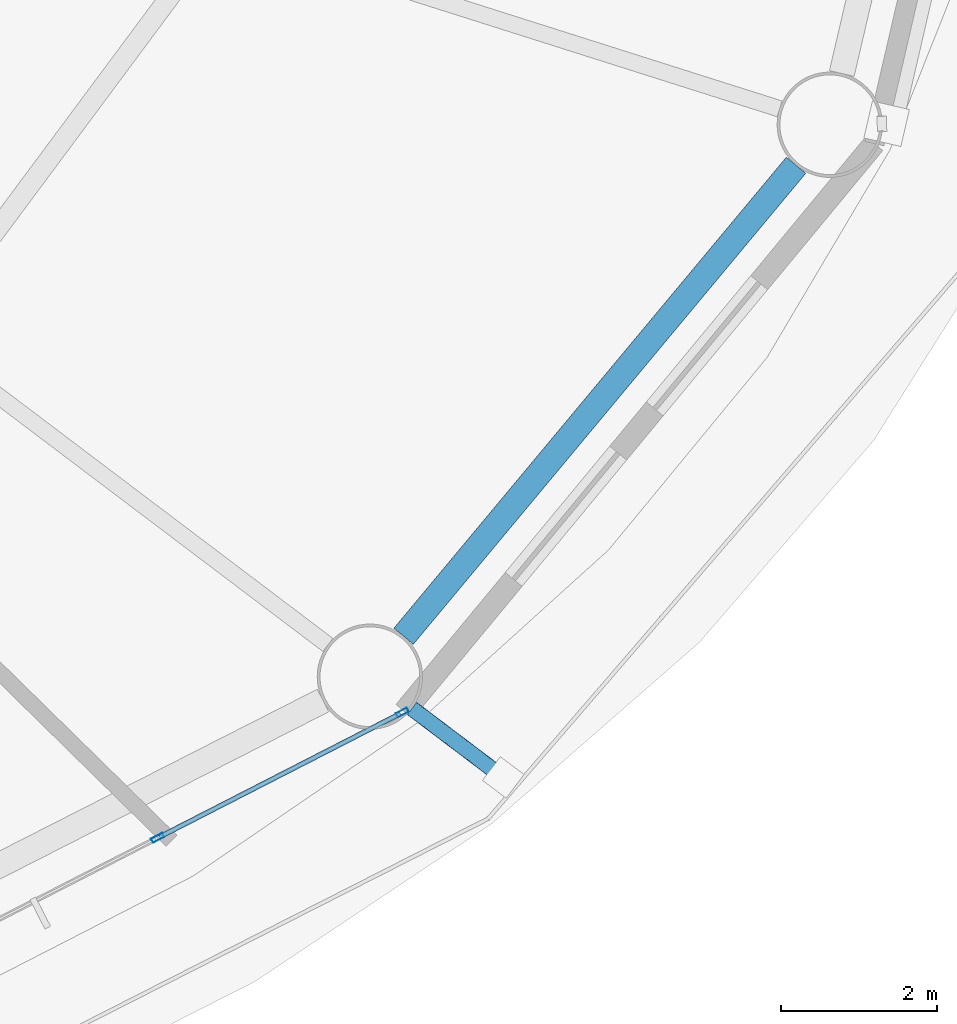
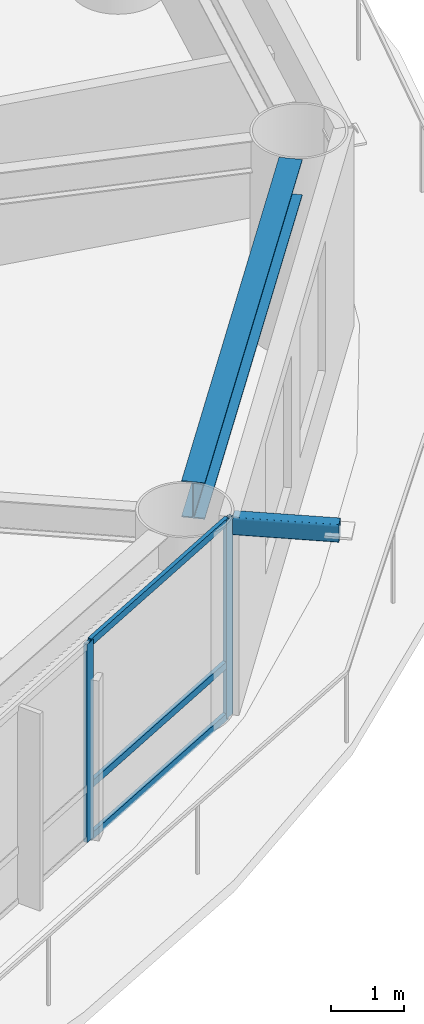
# One storey, part 6 of 24: 6 members, 1 beam, 1 element without a shape of its own.
"""IFC4 building model written with IfcOpenShell, lengths in metres."""

from ifc_helpers import new_model, si_unit, direction, frame, origin, origin_2d, place, context, subcontext, project, spatial, hollow_rectangle, i_section, extrude, material, layer, layer_set, material_profile, profile_set, type_object, element, aggregate, save


model = new_model("IFC4")

# Units and contexts
model_context = context("Model", 3, precision=1e-05, world=origin(), true_north=direction((0.0, 1.0)))
body_context = subcontext(model_context, "Body", "Model", "MODEL_VIEW")
ifc_project = project(units=[si_unit("LENGTHUNIT", "METRE"), si_unit("AREAUNIT", "SQUARE_METRE"), si_unit("VOLUMEUNIT", "CUBIC_METRE"), si_unit("PLANEANGLEUNIT", "RADIAN"), si_unit("MASSUNIT", "GRAM", prefix="KILO")], contexts=[model_context])

# Site, building, storey
site_placement = place(None, origin())
site = spatial("IfcSite", under=ifc_project, at=site_placement, CompositionType="ELEMENT")
building_placement = place(site_placement, origin())
building = spatial("IfcBuilding", under=site, at=building_placement, Name="Sarneth Arch Tower", CompositionType="ELEMENT")
storey_placement = place(building_placement, frame((0.0, 0.0, 130.800048828125)))
storey = spatial("IfcBuildingStorey", under=building, at=storey_placement, Name="L33", CompositionType="ELEMENT", Elevation=130.800048828125)

# Beam
ifc_material_1 = material(Name="Steel S355", Category="steel")
ifc_material_profile_1 = material_profile(ifc_material_1, i_section(OverallWidth=0.323974609375, OverallDepth=0.611083984375, WebThickness=0.0126953125, FlangeThickness=0.01904296875, FilletRadius=0.01904296875, at=origin_2d()), Name="W610x155")
ifc_profile_set_1 = profile_set([ifc_material_profile_1], Name="Steel S355")
beam_type = type_object("IfcBeamType", Name="BM-SPAN-610B", PredefinedType="SPANDREL", material=ifc_profile_set_1)
beam_placement = place(storey_placement, frame((68.829833984375, 27.103515625, 3.014404296875), z_axis=(0.640169116175, 0.768234015581, 0.0), x_axis=(-0.768234015581, 0.640169116175, 0.0)))
element("IfcBeam", 1, at=beam_placement, inside=storey, type_object=beam_type, Name="L33 Perimeter spandrel beam 15", PredefinedType="SPANDREL", context=body_context, shape_type="SweptSolid", body=[
    extrude(i_section(OverallWidth=0.323974609375, OverallDepth=0.611083984375, WebThickness=0.0126953125, FlangeThickness=0.01904296875, FilletRadius=0.01904296875, at=origin_2d()), origin(), (0.0, 0.0, 1.0), 7.856201171875),
])

# Curtain wall, members
ifc_material_2 = material(Name="Anodised aluminium Type AA25 and solar-control low-e laminated IGU", Category="aluminium")
ifc_layer = layer(ifc_material_2, 0.159912109375)
ifc_layer_set = layer_set([ifc_layer], Name="Anodised aluminium Type AA25 and solar-control low-e laminated IGU")
curtain_wall_type = type_object("IfcCurtainWallType", Name="CW-HOTEL-MID", PredefinedType="NOTDEFINED", material=ifc_layer_set)
curtain_wall_placement = place(storey_placement, origin())
curtain_wall = element("IfcCurtainWall", 2, at=curtain_wall_placement, inside=storey, type_object=curtain_wall_type, Name="L33 Unitised curtain wall facet 14", PredefinedType="NOTDEFINED")
ifc_material_3 = material(Name="Anodised Aluminium 6063-T6", Category="aluminium")
ifc_material_profile_2 = material_profile(ifc_material_3, hollow_rectangle(XDim=0.06005859375, YDim=0.159912109375, WallThickness=0.00390625, at=origin_2d()), Name="AL-MULL-160x60x4")
ifc_profile_set_2 = profile_set([ifc_material_profile_2], Name="Anodised Aluminium 6063-T6")
member_type_1 = type_object("IfcMemberType", Name="CW-MULLION", PredefinedType="MULLION", material=ifc_profile_set_2)
member_1_placement = place(storey_placement, frame((65.677001953125, 24.518798828125, 0.0), z_axis=(0.0, 0.0, 1.0), x_axis=(-0.456031365356, 0.889963703649, 0.0)))
member_1 = element("IfcMember", 3, at=member_1_placement, type_object=member_type_1, Name="CW-SYS-4 mullion 3", PredefinedType="MULLION", context=body_context, shape_type="SweptSolid", body=[
    extrude(hollow_rectangle(XDim=0.06005859375, YDim=0.159912109375, WallThickness=0.00390625, at=origin_2d()), origin(), (0.0, 0.0, 1.0), 3.320068359375),
])
member_2_placement = place(storey_placement, frame((68.813232421875, 26.1259765625, 0.0), z_axis=(0.0, 0.0, 1.0), x_axis=(-0.456031365356, 0.889963703649, 0.0)))
member_2 = element("IfcMember", 4, at=member_2_placement, type_object=member_type_1, Name="CW-SYS-4 mullion 4", PredefinedType="MULLION", context=body_context, shape_type="SweptSolid", body=[
    extrude(hollow_rectangle(XDim=0.06005859375, YDim=0.159912109375, WallThickness=0.00390625, at=origin_2d()), origin(), (0.0, 0.0, 1.0), 3.320068359375),
])
ifc_material_4 = material(Name="Anodised Aluminium 6063-T6", Category="aluminium")
ifc_material_profile_3 = material_profile(ifc_material_4, hollow_rectangle(XDim=0.06005859375, YDim=0.1201171875, WallThickness=0.00390625, at=origin_2d()), Name="AL-TRAN-120x60x4")
ifc_profile_set_3 = profile_set([ifc_material_profile_3], Name="Anodised Aluminium 6063-T6")
member_type_2 = type_object("IfcMemberType", Name="CW-TRANSOM", PredefinedType="USERDEFINED", material=ifc_profile_set_3)
member_3_placement = place(storey_placement, frame((65.703857421875, 24.532470703125, 0.030029296875), z_axis=(0.889942905184, 0.456071952122, 0.0), x_axis=(-0.456071952122, 0.889942905184, 0.0)))
member_3 = element("IfcMember", 5, at=member_3_placement, type_object=member_type_2, Name="CW-SYS-4 transom 3.1", ObjectType="TRANSOM", PredefinedType="USERDEFINED", context=body_context, shape_type="SweptSolid", body=[
    extrude(hollow_rectangle(XDim=0.06005859375, YDim=0.1201171875, WallThickness=0.00390625, at=origin_2d()), origin(), (0.0, 0.0, 1.0), 3.464111328125),
])
member_4_placement = place(storey_placement, frame((65.703857421875, 24.532470703125, 0.89990234375), z_axis=(0.889942905184, 0.456071952122, 0.0), x_axis=(-0.456071952122, 0.889942905184, 0.0)))
member_4 = element("IfcMember", 6, at=member_4_placement, type_object=member_type_2, Name="CW-SYS-4 transom 3.2", ObjectType="TRANSOM", PredefinedType="USERDEFINED", context=body_context, shape_type="SweptSolid", body=[
    extrude(hollow_rectangle(XDim=0.06005859375, YDim=0.1201171875, WallThickness=0.00390625, at=origin_2d()), origin(), (0.0, 0.0, 1.0), 3.464111328125),
])
member_5_placement = place(storey_placement, frame((65.703857421875, 24.532470703125, 3.2900390625), z_axis=(0.889942905184, 0.456071952122, 0.0), x_axis=(-0.456071952122, 0.889942905184, 0.0)))
member_5 = element("IfcMember", 7, at=member_5_placement, type_object=member_type_2, Name="CW-SYS-4 transom 3.3", ObjectType="TRANSOM", PredefinedType="USERDEFINED", context=body_context, shape_type="SweptSolid", body=[
    extrude(hollow_rectangle(XDim=0.06005859375, YDim=0.1201171875, WallThickness=0.00390625, at=origin_2d()), origin(), (0.0, 0.0, 1.0), 3.464111328125),
])
aggregate(curtain_wall, [member_1, member_2, member_3, member_4, member_5])

# Member
ifc_material_5 = material(Name="Steel S355", Category="steel")
ifc_material_profile_4 = material_profile(ifc_material_5, hollow_rectangle(XDim=0.199951171875, YDim=0.300048828125, WallThickness=0.012451171875, InnerFilletRadius=0.018798828125, OuterFilletRadius=0.03125, at=origin_2d()), Name="RHS300x200x12.5")
ifc_profile_set_4 = profile_set([ifc_material_profile_4], Name="Steel S355")
member_type_3 = type_object("IfcMemberType", Name="MEM-CANT-STRUT", PredefinedType="STRUT", material=ifc_profile_set_4)
member_6_placement = place(storey_placement, frame((68.936279296875, 26.177978515625, 3.159912109375), z_axis=(0.797817505134, -0.602899020153, 0.0), x_axis=(0.602899020153, 0.797817505134, 0.0)))
element("IfcMember", 8, at=member_6_placement, inside=storey, type_object=member_type_3, Name="L33 Balcony cantilever bracket 15", PredefinedType="STRUT", context=body_context, shape_type="SweptSolid", body=[
    extrude(hollow_rectangle(XDim=0.199951171875, YDim=0.300048828125, WallThickness=0.012451171875, InnerFilletRadius=0.018798828125, OuterFilletRadius=0.03125, at=origin_2d()), origin(), (0.0, 0.0, 1.0), 1.466796875),
])

save(model, "model.ifc")
